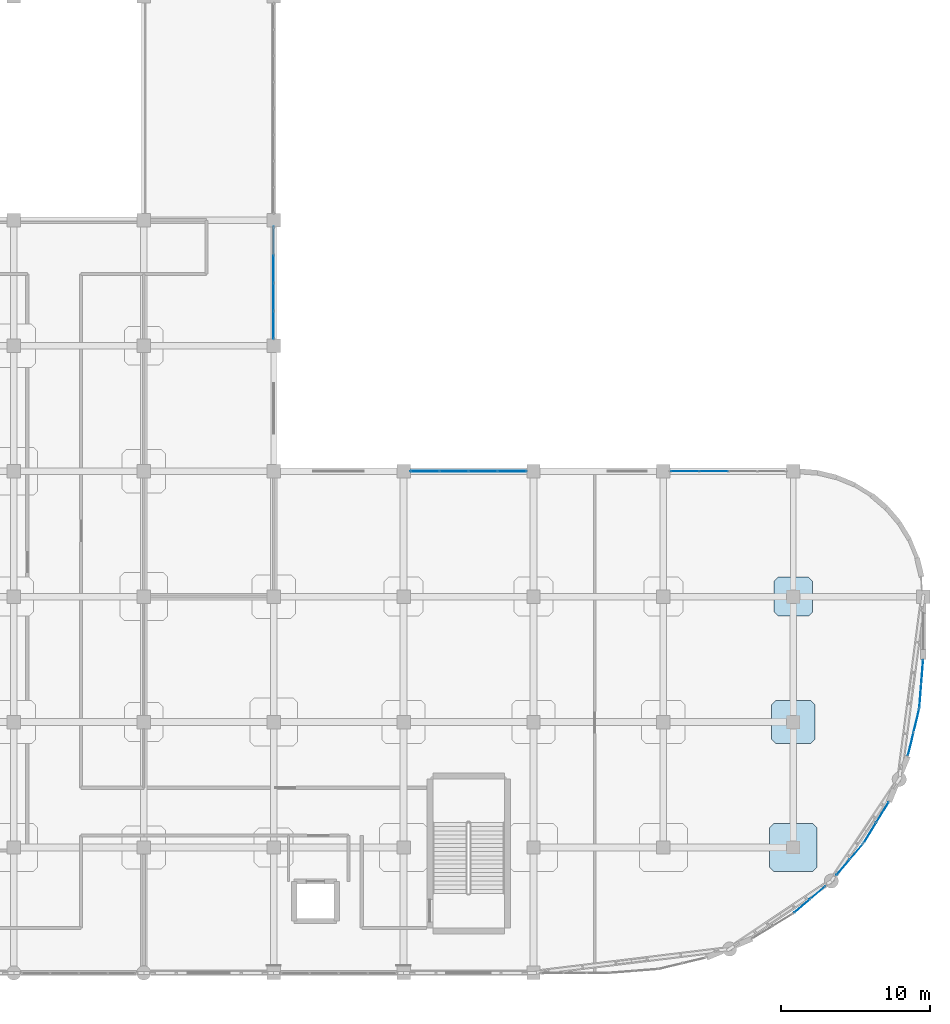
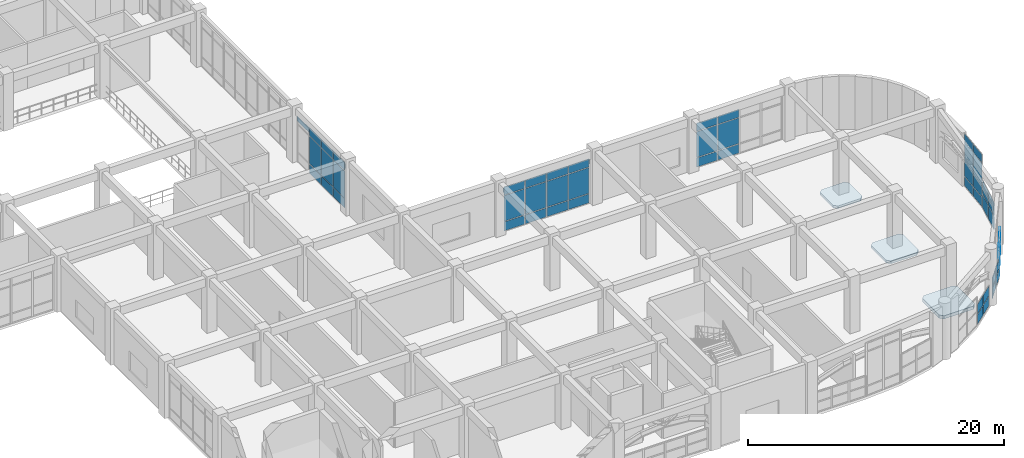
# One storey, part 88 of 114: 51 plates, 3 slabs, 8 elements without a shape of their own.
"""IFC4 building model written with IfcOpenShell, lengths in metres."""

from ifc_helpers import new_model, si_unit, derived_unit, direction, frame, origin, origin_2d, place, context, subcontext, project, spatial, polyline, rectangle, outline, extrude, material, layer, layer_set, type_object, element, aggregate, save


model = new_model("IFC4")

# Units and contexts
model_context = context("Model", 3, precision=1e-05, world=origin(), true_north=direction((0.0, 1.0)))
body_context = subcontext(model_context, "Body", "Model", "MODEL_VIEW")
ifc_project = project(units=[si_unit("LENGTHUNIT", "METRE"), si_unit("AREAUNIT", "SQUARE_METRE"), si_unit("VOLUMEUNIT", "CUBIC_METRE"), si_unit("PLANEANGLEUNIT", "RADIAN"), si_unit("MASSUNIT", "GRAM", prefix="KILO"), derived_unit("THERMALTRANSMITTANCEUNIT", [(si_unit("MASSUNIT", "GRAM", prefix="KILO"), 1), (si_unit("TIMEUNIT", "SECOND"), -3), (si_unit("THERMODYNAMICTEMPERATUREUNIT", "KELVIN"), -1)])], contexts=[model_context])

# Site, building, storey
site_placement = place(None, origin())
site = spatial("IfcSite", under=ifc_project, at=site_placement, CompositionType="ELEMENT")
building_placement = place(site_placement, origin())
building = spatial("IfcBuilding", under=site, at=building_placement, Name="Qinzheling Arcade Emporium", CompositionType="ELEMENT")
storey_placement = place(building_placement, frame((0.0, 0.0, 6.0)))
storey = spatial("IfcBuildingStorey", under=building, at=storey_placement, Name="L02", CompositionType="ELEMENT", Elevation=6.0)

# Slabs
ifc_material_1 = material(Name="Concrete C40", Category="concrete")
ifc_layer_1 = layer(ifc_material_1, 0.235107421875, Name="Concrete C40", Category="concrete")
ifc_layer_set_1 = layer_set([ifc_layer_1], Name="Concrete C40")
slab_type_1 = type_object("IfcSlabType", Name="Column Head Drop Panel 2600x2600x235 C40", PredefinedType="USERDEFINED", material=ifc_layer_set_1)
slab_1_placement = place(storey_placement, frame((0.0, 0.0, -0.530029296875)))
element("IfcSlab", 1, at=slab_1_placement, inside=storey, type_object=slab_type_1, Name="Column Drop Panel DP-L02-20-D", ObjectType="DROP_PANEL", PredefinedType="USERDEFINED", context=body_context, shape_type="SweptSolid", body=[
    extrude(outline(polyline([(164.280029296875, 23.89990234375), (166.320068359375, 23.89990234375), (166.60009765625, 24.179931640625), (166.60009765625, 26.219970703125), (166.320068359375, 26.5), (164.280029296875, 26.5), (164.0, 26.219970703125), (164.0, 24.179931640625), (164.280029296875, 23.89990234375)])), origin(), (0.0, 0.0, 1.0), 0.235107421875),
])
ifc_layer_2 = layer(ifc_material_1, 0.27001953125, Name="Concrete C40", Category="concrete")
ifc_layer_set_2 = layer_set([ifc_layer_2], Name="Concrete C40")
slab_type_2 = type_object("IfcSlabType", Name="Column Head Drop Panel 2900x2900x270 C40", PredefinedType="USERDEFINED", material=ifc_layer_set_2)
slab_2_placement = place(storey_placement, frame((0.0, 0.0, -0.56494140625)))
element("IfcSlab", 2, at=slab_2_placement, inside=storey, type_object=slab_type_2, Name="Column Drop Panel DP-L02-20-C", ObjectType="DROP_PANEL", PredefinedType="USERDEFINED", context=body_context, shape_type="SweptSolid", body=[
    extrude(outline(polyline([(164.1298828125, 15.35009765625), (166.469970703125, 15.35009765625), (166.75, 15.6298828125), (166.75, 17.969970703125), (166.469970703125, 18.25), (164.1298828125, 18.25), (163.85009765625, 17.969970703125), (163.85009765625, 15.6298828125), (164.1298828125, 15.35009765625)])), origin(), (0.0, 0.0, 1.0), 0.27001953125),
])
ifc_layer_3 = layer(ifc_material_1, 0.300048828125, Name="Concrete C40", Category="concrete")
ifc_layer_set_3 = layer_set([ifc_layer_3], Name="Concrete C40")
slab_type_3 = type_object("IfcSlabType", Name="Column Head Drop Panel 3200x3200x300 C40", PredefinedType="USERDEFINED", material=ifc_layer_set_3)
slab_3_placement = place(storey_placement, frame((0.0, 0.0, -0.594970703125)))
element("IfcSlab", 3, at=slab_3_placement, inside=storey, type_object=slab_type_3, Name="Column Drop Panel DP-L02-20-B", ObjectType="DROP_PANEL", PredefinedType="USERDEFINED", context=body_context, shape_type="SweptSolid", body=[
    extrude(outline(polyline([(163.97998046875, 6.800048828125), (166.6201171875, 6.800048828125), (166.89990234375, 7.080078125), (166.89990234375, 9.719970703125), (166.6201171875, 10.0), (163.97998046875, 10.0), (163.699951171875, 9.719970703125), (163.699951171875, 7.080078125), (163.97998046875, 6.800048828125)])), origin(), (0.0, 0.0, 1.0), 0.300048828125),
])

# Curtain wall, plates
ifc_material_2 = material(Name="Anodised aluminium and solar-control double glazing", Category="aluminium")
ifc_layer_4 = layer(ifc_material_2, 0.159912109375, Name="Anodised aluminium and solar-control double glazing", Category="aluminium")
ifc_layer_set_4 = layer_set([ifc_layer_4], Name="Anodised aluminium and solar-control double glazing")
curtain_wall_type_1 = type_object("IfcCurtainWallType", Name="Food Hall Loggia Curtain Wall", PredefinedType="NOTDEFINED", material=ifc_layer_set_4)
curtain_wall_1_placement = place(storey_placement, origin())
curtain_wall_1 = element("IfcCurtainWall", 4, at=curtain_wall_1_placement, inside=storey, type_object=curtain_wall_type_1, Name="Curtain Wall CW-L02-127", PredefinedType="NOTDEFINED")
ifc_material_3 = material(Name="Laminated solar-control double glazing", Category="glass")
ifc_layer_5 = layer(ifc_material_3, 0.02099609375, Name="Laminated solar-control double glazing", Category="glass")
ifc_layer_set_5 = layer_set([ifc_layer_5], Name="Laminated solar-control double glazing")
plate_type_1 = type_object("IfcPlateType", Name="Low-E Double Glazed Curtain Panel 21mm", PredefinedType="CURTAIN_PANEL", material=ifc_layer_set_5)
plate_1_placement = place(storey_placement, frame((158.04150390625, 33.60009765625, 0.06005859375), z_axis=(0.0, 0.0, 1.0), x_axis=(1.0, 0.0, 0.0)))
plate_1 = element("IfcPlate", 5, at=plate_1_placement, type_object=plate_type_1, Name="CW04 panel 1.1", PredefinedType="CURTAIN_PANEL", context=body_context, shape_type="SweptSolid", body=[
    extrude(rectangle(XDim=1.85888671875, YDim=0.02099609375, at=origin_2d()), origin(), (0.0, 0.0, 1.0), 0.860107421875),
])
plate_2_placement = place(storey_placement, frame((158.04150390625, 33.60009765625, 0.97998046875), z_axis=(0.0, 0.0, 1.0), x_axis=(1.0, 0.0, 0.0)))
plate_2 = element("IfcPlate", 6, at=plate_2_placement, type_object=plate_type_1, Name="CW04 panel 1.2", PredefinedType="CURTAIN_PANEL", context=body_context, shape_type="SweptSolid", body=[
    extrude(rectangle(XDim=1.85888671875, YDim=0.02099609375, at=origin_2d()), origin(), (0.0, 0.0, 1.0), 2.445068359375),
])
plate_3_placement = place(storey_placement, frame((158.04150390625, 33.60009765625, 3.48486328125), z_axis=(0.0, 0.0, 1.0), x_axis=(1.0, 0.0, 0.0)))
plate_3 = element("IfcPlate", 7, at=plate_3_placement, type_object=plate_type_1, Name="CW04 panel 1.3", PredefinedType="CURTAIN_PANEL", context=body_context, shape_type="SweptSolid", body=[
    extrude(rectangle(XDim=1.85888671875, YDim=0.02099609375, at=origin_2d()), origin(), (0.0, 0.0, 1.0), 0.760009765625),
])
plate_4_placement = place(storey_placement, frame((159.9755859375, 33.60009765625, 0.06005859375), z_axis=(0.0, 0.0, 1.0), x_axis=(1.0, 0.0, 0.0)))
plate_4 = element("IfcPlate", 8, at=plate_4_placement, type_object=plate_type_1, Name="CW04 panel 2.1", PredefinedType="CURTAIN_PANEL", context=body_context, shape_type="SweptSolid", body=[
    extrude(rectangle(XDim=1.888916015625, YDim=0.02099609375, at=origin_2d()), origin(), (0.0, 0.0, 1.0), 0.860107421875),
])
plate_5_placement = place(storey_placement, frame((159.9755859375, 33.60009765625, 0.97998046875), z_axis=(0.0, 0.0, 1.0), x_axis=(1.0, 0.0, 0.0)))
plate_5 = element("IfcPlate", 9, at=plate_5_placement, type_object=plate_type_1, Name="CW04 panel 2.2", PredefinedType="CURTAIN_PANEL", context=body_context, shape_type="SweptSolid", body=[
    extrude(rectangle(XDim=1.888916015625, YDim=0.02099609375, at=origin_2d()), origin(), (0.0, 0.0, 1.0), 2.445068359375),
])
plate_6_placement = place(storey_placement, frame((159.9755859375, 33.60009765625, 3.48486328125), z_axis=(0.0, 0.0, 1.0), x_axis=(1.0, 0.0, 0.0)))
plate_6 = element("IfcPlate", 10, at=plate_6_placement, type_object=plate_type_1, Name="CW04 panel 2.3", PredefinedType="CURTAIN_PANEL", context=body_context, shape_type="SweptSolid", body=[
    extrude(rectangle(XDim=1.888916015625, YDim=0.02099609375, at=origin_2d()), origin(), (0.0, 0.0, 1.0), 0.760009765625),
])
aggregate(curtain_wall_1, [plate_1, plate_2, plate_3, plate_4, plate_5, plate_6])

ifc_layer_6 = layer(ifc_material_2, 0.159912109375, Name="Anodised aluminium and solar-control double glazing", Category="aluminium")
ifc_layer_set_6 = layer_set([ifc_layer_6], Name="Anodised aluminium and solar-control double glazing")
curtain_wall_type_2 = type_object("IfcCurtainWallType", Name="Curved Ribbon Sales Curtain Wall", PredefinedType="NOTDEFINED", material=ifc_layer_set_6)
curtain_wall_2_placement = place(storey_placement, origin())
curtain_wall_2 = element("IfcCurtainWall", 11, at=curtain_wall_2_placement, inside=storey, type_object=curtain_wall_type_2, Name="Curtain Wall CW-L02-049", PredefinedType="NOTDEFINED")
ifc_layer_7 = layer(ifc_material_3, 0.02392578125, Name="Laminated solar-control double glazing", Category="glass")
ifc_layer_set_7 = layer_set([ifc_layer_7], Name="Laminated solar-control double glazing")
plate_type_2 = type_object("IfcPlateType", Name="Low-E Double Glazed Curtain Panel 24mm", PredefinedType="CURTAIN_PANEL", material=ifc_layer_set_7)
plate_7_placement = place(storey_placement, frame((173.93408203125, 20.163818359375, 0.06005859375), z_axis=(0.0, 0.0, 1.0), x_axis=(-0.078599308618, -0.996906288818, 0.0)))
plate_7 = element("IfcPlate", 12, at=plate_7_placement, type_object=plate_type_2, Name="CW02 panel 1.1", PredefinedType="CURTAIN_PANEL", context=body_context, shape_type="SweptSolid", body=[
    extrude(rectangle(XDim=1.5576171875, YDim=0.02392578125, at=origin_2d()), origin(), (0.0, 0.0, 1.0), 0.860107421875),
])
plate_8_placement = place(storey_placement, frame((173.93408203125, 20.163818359375, 0.97998046875), z_axis=(0.0, 0.0, 1.0), x_axis=(-0.078599308618, -0.996906288818, 0.0)))
plate_8 = element("IfcPlate", 13, at=plate_8_placement, type_object=plate_type_2, Name="CW02 panel 1.2", PredefinedType="CURTAIN_PANEL", context=body_context, shape_type="SweptSolid", body=[
    extrude(rectangle(XDim=1.5576171875, YDim=0.02392578125, at=origin_2d()), origin(), (0.0, 0.0, 1.0), 3.22998046875),
])
plate_9_placement = place(storey_placement, frame((173.93408203125, 20.163818359375, 4.27001953125), z_axis=(0.0, 0.0, 1.0), x_axis=(-0.078599308618, -0.996906288818, 0.0)))
plate_9 = element("IfcPlate", 14, at=plate_9_placement, type_object=plate_type_2, Name="CW02 panel 1.3", PredefinedType="CURTAIN_PANEL", context=body_context, shape_type="SweptSolid", body=[
    extrude(rectangle(XDim=1.5576171875, YDim=0.02392578125, at=origin_2d()), origin(), (0.0, 0.0, 1.0), 0.760009765625),
])
plate_10_placement = place(storey_placement, frame((173.806884765625, 18.55126953125, 0.06005859375), z_axis=(0.0, 0.0, 1.0), x_axis=(-0.078599308618, -0.996906288818, 0.0)))
plate_10 = element("IfcPlate", 15, at=plate_10_placement, type_object=plate_type_2, Name="CW02 panel 2.1", PredefinedType="CURTAIN_PANEL", context=body_context, shape_type="SweptSolid", body=[
    extrude(rectangle(XDim=1.5576171875, YDim=0.02392578125, at=origin_2d()), origin(), (0.0, 0.0, 1.0), 0.860107421875),
])
plate_11_placement = place(storey_placement, frame((173.806884765625, 18.55126953125, 0.97998046875), z_axis=(0.0, 0.0, 1.0), x_axis=(-0.078599308618, -0.996906288818, 0.0)))
plate_11 = element("IfcPlate", 16, at=plate_11_placement, type_object=plate_type_2, Name="CW02 panel 2.2", PredefinedType="CURTAIN_PANEL", context=body_context, shape_type="SweptSolid", body=[
    extrude(rectangle(XDim=1.5576171875, YDim=0.02392578125, at=origin_2d()), origin(), (0.0, 0.0, 1.0), 3.22998046875),
])
plate_12_placement = place(storey_placement, frame((173.806884765625, 18.55126953125, 4.27001953125), z_axis=(0.0, 0.0, 1.0), x_axis=(-0.078599308618, -0.996906288818, 0.0)))
plate_12 = element("IfcPlate", 17, at=plate_12_placement, type_object=plate_type_2, Name="CW02 panel 2.3", PredefinedType="CURTAIN_PANEL", context=body_context, shape_type="SweptSolid", body=[
    extrude(rectangle(XDim=1.5576171875, YDim=0.02392578125, at=origin_2d()), origin(), (0.0, 0.0, 1.0), 0.760009765625),
])
aggregate(curtain_wall_2, [plate_7, plate_8, plate_9, plate_10, plate_11, plate_12])

curtain_wall_3_placement = place(storey_placement, origin())
curtain_wall_3 = element("IfcCurtainWall", 18, at=curtain_wall_3_placement, inside=storey, type_object=curtain_wall_type_2, Name="Curtain Wall CW-L02-050", PredefinedType="NOTDEFINED")
ifc_layer_8 = layer(ifc_material_3, 0.02490234375, Name="Laminated solar-control double glazing", Category="glass")
ifc_layer_set_8 = layer_set([ifc_layer_8], Name="Laminated solar-control double glazing")
plate_type_3 = type_object("IfcPlateType", Name="Low-E Double Glazed Curtain Panel 25mm", PredefinedType="CURTAIN_PANEL", material=ifc_layer_set_8)
plate_13_placement = place(storey_placement, frame((173.545166015625, 16.8994140625, 0.06005859375), z_axis=(0.0, 0.0, 1.0), x_axis=(-0.233384430923, -0.972384547081, 0.0)))
plate_13 = element("IfcPlate", 19, at=plate_13_placement, type_object=plate_type_3, Name="CW02 panel 1.1", PredefinedType="CURTAIN_PANEL", context=body_context, shape_type="SweptSolid", body=[
    extrude(rectangle(XDim=1.5576171875, YDim=0.02490234375, at=origin_2d()), origin(), (0.0, 0.0, 1.0), 1.27197265625),
])
plate_14_placement = place(storey_placement, frame((173.545166015625, 16.8994140625, 1.39208984375), z_axis=(0.0, 0.0, 1.0), x_axis=(-0.233384430923, -0.972384547081, 0.0)))
plate_14 = element("IfcPlate", 20, at=plate_14_placement, type_object=plate_type_3, Name="CW02 panel 1.2", PredefinedType="CURTAIN_PANEL", context=body_context, shape_type="SweptSolid", body=[
    extrude(rectangle(XDim=1.5576171875, YDim=0.02490234375, at=origin_2d()), origin(), (0.0, 0.0, 1.0), 1.27099609375),
])
plate_15_placement = place(storey_placement, frame((173.167724609375, 15.32666015625, 0.06005859375), z_axis=(0.0, 0.0, 1.0), x_axis=(-0.233384430923, -0.972384547081, 0.0)))
plate_15 = element("IfcPlate", 21, at=plate_15_placement, type_object=plate_type_3, Name="CW02 panel 2.1", PredefinedType="CURTAIN_PANEL", context=body_context, shape_type="SweptSolid", body=[
    extrude(rectangle(XDim=1.5576171875, YDim=0.02490234375, at=origin_2d()), origin(), (0.0, 0.0, 1.0), 1.27197265625),
])
plate_16_placement = place(storey_placement, frame((173.167724609375, 15.32666015625, 1.39208984375), z_axis=(0.0, 0.0, 1.0), x_axis=(-0.233384430923, -0.972384547081, 0.0)))
plate_16 = element("IfcPlate", 22, at=plate_16_placement, type_object=plate_type_3, Name="CW02 panel 2.2", PredefinedType="CURTAIN_PANEL", context=body_context, shape_type="SweptSolid", body=[
    extrude(rectangle(XDim=1.5576171875, YDim=0.02490234375, at=origin_2d()), origin(), (0.0, 0.0, 1.0), 1.27099609375),
])
aggregate(curtain_wall_3, [plate_13, plate_14, plate_15, plate_16])

curtain_wall_4_placement = place(storey_placement, origin())
curtain_wall_4 = element("IfcCurtainWall", 23, at=curtain_wall_4_placement, inside=storey, type_object=curtain_wall_type_2, Name="Curtain Wall CW-L02-051", PredefinedType="NOTDEFINED")
ifc_layer_9 = layer(ifc_material_3, 0.02587890625, Name="Laminated solar-control double glazing", Category="glass")
ifc_layer_set_9 = layer_set([ifc_layer_9], Name="Laminated solar-control double glazing")
plate_type_4 = type_object("IfcPlateType", Name="Low-E Double Glazed Curtain Panel 26mm", PredefinedType="CURTAIN_PANEL", material=ifc_layer_set_9)
plate_17_placement = place(storey_placement, frame((171.272705078125, 10.7509765625, 0.06005859375), z_axis=(0.0, 0.0, 1.0), x_axis=(-0.522640343274, -0.852553266126, 0.0)))
plate_17 = element("IfcPlate", 24, at=plate_17_placement, type_object=plate_type_4, Name="CW02 panel 1.1", PredefinedType="CURTAIN_PANEL", context=body_context, shape_type="SweptSolid", body=[
    extrude(rectangle(XDim=1.557373046875, YDim=0.02587890625, at=origin_2d()), origin(), (0.0, 0.0, 1.0), 1.27197265625),
])
plate_18_placement = place(storey_placement, frame((171.272705078125, 10.7509765625, 1.39208984375), z_axis=(0.0, 0.0, 1.0), x_axis=(-0.522640343274, -0.852553266126, 0.0)))
plate_18 = element("IfcPlate", 25, at=plate_18_placement, type_object=plate_type_4, Name="CW02 panel 1.2", PredefinedType="CURTAIN_PANEL", context=body_context, shape_type="SweptSolid", body=[
    extrude(rectangle(XDim=1.557373046875, YDim=0.02587890625, at=origin_2d()), origin(), (0.0, 0.0, 1.0), 1.27099609375),
])
plate_19_placement = place(storey_placement, frame((170.42724609375, 9.3720703125, 0.06005859375), z_axis=(0.0, 0.0, 1.0), x_axis=(-0.522640343274, -0.852553266126, 0.0)))
plate_19 = element("IfcPlate", 26, at=plate_19_placement, type_object=plate_type_4, Name="CW02 panel 2.1", PredefinedType="CURTAIN_PANEL", context=body_context, shape_type="SweptSolid", body=[
    extrude(rectangle(XDim=1.557373046875, YDim=0.02587890625, at=origin_2d()), origin(), (0.0, 0.0, 1.0), 1.27197265625),
])
plate_20_placement = place(storey_placement, frame((170.42724609375, 9.3720703125, 1.39208984375), z_axis=(0.0, 0.0, 1.0), x_axis=(-0.522640343274, -0.852553266126, 0.0)))
plate_20 = element("IfcPlate", 27, at=plate_20_placement, type_object=plate_type_4, Name="CW02 panel 2.2", PredefinedType="CURTAIN_PANEL", context=body_context, shape_type="SweptSolid", body=[
    extrude(rectangle(XDim=1.557373046875, YDim=0.02587890625, at=origin_2d()), origin(), (0.0, 0.0, 1.0), 1.27099609375),
])
aggregate(curtain_wall_4, [plate_17, plate_18, plate_19, plate_20])

curtain_wall_5_placement = place(storey_placement, origin())
curtain_wall_5 = element("IfcCurtainWall", 28, at=curtain_wall_5_placement, inside=storey, type_object=curtain_wall_type_2, Name="Curtain Wall CW-L02-052", PredefinedType="NOTDEFINED")
ifc_layer_10 = layer(ifc_material_3, 0.027099609375, Name="Laminated solar-control double glazing", Category="glass")
ifc_layer_set_10 = layer_set([ifc_layer_10], Name="Laminated solar-control double glazing")
plate_type_5 = type_object("IfcPlateType", Name="Low-E Double Glazed Curtain Panel 27mm", PredefinedType="CURTAIN_PANEL", material=ifc_layer_set_10)
plate_21_placement = place(storey_placement, frame((169.521728515625, 8.10986328125, 0.06005859375), z_axis=(0.0, 0.0, 1.0), x_axis=(-0.649387535624, -0.76045764417, 0.0)))
plate_21 = element("IfcPlate", 29, at=plate_21_placement, type_object=plate_type_5, Name="CW02 panel 1.1", PredefinedType="CURTAIN_PANEL", context=body_context, shape_type="SweptSolid", body=[
    extrude(rectangle(XDim=1.319091796875, YDim=0.027099609375, at=origin_2d()), origin(), (0.0, 0.0, 1.0), 0.9150390625),
])
plate_22_placement = place(storey_placement, frame((169.521728515625, 8.10986328125, 1.034912109375), z_axis=(0.0, 0.0, 1.0), x_axis=(-0.649387535624, -0.76045764417, 0.0)))
plate_22 = element("IfcPlate", 30, at=plate_22_placement, type_object=plate_type_5, Name="CW02 panel 1.2", PredefinedType="CURTAIN_PANEL", context=body_context, shape_type="SweptSolid", body=[
    extrude(rectangle(XDim=1.319091796875, YDim=0.027099609375, at=origin_2d()), origin(), (0.0, 0.0, 1.0), 0.9150390625),
])
plate_23_placement = place(storey_placement, frame((168.626220703125, 7.06103515625, 0.06005859375), z_axis=(0.0, 0.0, 1.0), x_axis=(-0.649387535624, -0.76045764417, 0.0)))
plate_23 = element("IfcPlate", 31, at=plate_23_placement, type_object=plate_type_5, Name="CW02 panel 2.1", PredefinedType="CURTAIN_PANEL", context=body_context, shape_type="SweptSolid", body=[
    extrude(rectangle(XDim=1.319091796875, YDim=0.027099609375, at=origin_2d()), origin(), (0.0, 0.0, 1.0), 0.9150390625),
])
plate_24_placement = place(storey_placement, frame((168.626220703125, 7.06103515625, 1.034912109375), z_axis=(0.0, 0.0, 1.0), x_axis=(-0.649387535624, -0.76045764417, 0.0)))
plate_24 = element("IfcPlate", 32, at=plate_24_placement, type_object=plate_type_5, Name="CW02 panel 2.2", PredefinedType="CURTAIN_PANEL", context=body_context, shape_type="SweptSolid", body=[
    extrude(rectangle(XDim=1.319091796875, YDim=0.027099609375, at=origin_2d()), origin(), (0.0, 0.0, 1.0), 0.9150390625),
])
aggregate(curtain_wall_5, [plate_21, plate_22, plate_23, plate_24])

curtain_wall_6_placement = place(storey_placement, origin())
curtain_wall_6 = element("IfcCurtainWall", 33, at=curtain_wall_6_placement, inside=storey, type_object=curtain_wall_type_2, Name="Curtain Wall CW-L02-053", PredefinedType="NOTDEFINED")
ifc_layer_11 = layer(ifc_material_3, 0.028076171875, Name="Laminated solar-control double glazing", Category="glass")
ifc_layer_set_11 = layer_set([ifc_layer_11], Name="Laminated solar-control double glazing")
plate_type_6 = type_object("IfcPlateType", Name="Low-E Double Glazed Curtain Panel 28mm", PredefinedType="CURTAIN_PANEL", material=ifc_layer_set_11)
plate_25_placement = place(storey_placement, frame((166.93896484375, 5.373779296875, 0.06005859375), z_axis=(0.0, 0.0, 1.0), x_axis=(-0.76045764417, -0.649387535624, 0.0)))
plate_25 = element("IfcPlate", 34, at=plate_25_placement, type_object=plate_type_6, Name="CW02 panel 1.1", PredefinedType="CURTAIN_PANEL", context=body_context, shape_type="SweptSolid", body=[
    extrude(rectangle(XDim=1.319091796875, YDim=0.028076171875, at=origin_2d()), origin(), (0.0, 0.0, 1.0), 0.9150390625),
])
plate_26_placement = place(storey_placement, frame((166.93896484375, 5.373779296875, 1.034912109375), z_axis=(0.0, 0.0, 1.0), x_axis=(-0.76045764417, -0.649387535624, 0.0)))
plate_26 = element("IfcPlate", 35, at=plate_26_placement, type_object=plate_type_6, Name="CW02 panel 1.2", PredefinedType="CURTAIN_PANEL", context=body_context, shape_type="SweptSolid", body=[
    extrude(rectangle(XDim=1.319091796875, YDim=0.028076171875, at=origin_2d()), origin(), (0.0, 0.0, 1.0), 0.9150390625),
])
plate_27_placement = place(storey_placement, frame((165.89013671875, 4.478271484375, 0.06005859375), z_axis=(0.0, 0.0, 1.0), x_axis=(-0.76045764417, -0.649387535624, 0.0)))
plate_27 = element("IfcPlate", 36, at=plate_27_placement, type_object=plate_type_6, Name="CW02 panel 2.1", PredefinedType="CURTAIN_PANEL", context=body_context, shape_type="SweptSolid", body=[
    extrude(rectangle(XDim=1.319091796875, YDim=0.028076171875, at=origin_2d()), origin(), (0.0, 0.0, 1.0), 0.9150390625),
])
plate_28_placement = place(storey_placement, frame((165.89013671875, 4.478271484375, 1.034912109375), z_axis=(0.0, 0.0, 1.0), x_axis=(-0.76045764417, -0.649387535624, 0.0)))
plate_28 = element("IfcPlate", 37, at=plate_28_placement, type_object=plate_type_6, Name="CW02 panel 2.2", PredefinedType="CURTAIN_PANEL", context=body_context, shape_type="SweptSolid", body=[
    extrude(rectangle(XDim=1.319091796875, YDim=0.028076171875, at=origin_2d()), origin(), (0.0, 0.0, 1.0), 0.9150390625),
])
aggregate(curtain_wall_6, [plate_25, plate_26, plate_27, plate_28])

ifc_layer_12 = layer(ifc_material_2, 0.159912109375, Name="Anodised aluminium and solar-control double glazing", Category="aluminium")
ifc_layer_set_12 = layer_set([ifc_layer_12], Name="Anodised aluminium and solar-control double glazing")
curtain_wall_type_3 = type_object("IfcCurtainWallType", Name="Arcade Portal Glazed Curtain Wall", PredefinedType="NOTDEFINED", material=ifc_layer_set_12)
curtain_wall_7_placement = place(storey_placement, origin())
curtain_wall_7 = element("IfcCurtainWall", 38, at=curtain_wall_7_placement, inside=storey, type_object=curtain_wall_type_3, Name="Curtain Wall CW-L02-125", PredefinedType="NOTDEFINED")
ifc_layer_13 = layer(ifc_material_3, 0.0400390625, Name="Laminated solar-control double glazing", Category="glass")
ifc_layer_set_13 = layer_set([ifc_layer_13], Name="Laminated solar-control double glazing")
plate_type_7 = type_object("IfcPlateType", Name="Low-E Double Glazed Curtain Panel 40mm", PredefinedType="CURTAIN_PANEL", material=ifc_layer_set_13)
plate_29_placement = place(storey_placement, frame((130.5, 47.136962890625, 0.06005859375), z_axis=(0.0, 0.0, 1.0), x_axis=(0.0, -1.0, 0.0)))
plate_29 = element("IfcPlate", 39, at=plate_29_placement, type_object=plate_type_7, Name="CW05 panel 2.1", PredefinedType="CURTAIN_PANEL", context=body_context, shape_type="SweptSolid", body=[
    extrude(rectangle(XDim=1.81396484375, YDim=0.0400390625, at=origin_2d()), origin(), (0.0, 0.0, 1.0), 0.860107421875),
])
plate_30_placement = place(storey_placement, frame((130.5, 47.136962890625, 0.97998046875), z_axis=(0.0, 0.0, 1.0), x_axis=(0.0, -1.0, 0.0)))
plate_30 = element("IfcPlate", 40, at=plate_30_placement, type_object=plate_type_7, Name="CW05 panel 2.2", PredefinedType="CURTAIN_PANEL", context=body_context, shape_type="SweptSolid", body=[
    extrude(rectangle(XDim=1.81396484375, YDim=0.0400390625, at=origin_2d()), origin(), (0.0, 0.0, 1.0), 2.594970703125),
])
plate_31_placement = place(storey_placement, frame((130.5, 47.136962890625, 3.634765625), z_axis=(0.0, 0.0, 1.0), x_axis=(0.0, -1.0, 0.0)))
plate_31 = element("IfcPlate", 41, at=plate_31_placement, type_object=plate_type_7, Name="CW05 panel 2.3", PredefinedType="CURTAIN_PANEL", context=body_context, shape_type="SweptSolid", body=[
    extrude(rectangle(XDim=1.81396484375, YDim=0.0400390625, at=origin_2d()), origin(), (0.0, 0.0, 1.0), 0.760009765625),
])
plate_32_placement = place(storey_placement, frame((130.5, 45.262939453125, 0.06005859375), z_axis=(0.0, 0.0, 1.0), x_axis=(0.0, -1.0, 0.0)))
plate_32 = element("IfcPlate", 42, at=plate_32_placement, type_object=plate_type_7, Name="CW05 panel 3.1", PredefinedType="CURTAIN_PANEL", context=body_context, shape_type="SweptSolid", body=[
    extrude(rectangle(XDim=1.81396484375, YDim=0.0400390625, at=origin_2d()), origin(), (0.0, 0.0, 1.0), 0.860107421875),
])
plate_33_placement = place(storey_placement, frame((130.5, 45.262939453125, 0.97998046875), z_axis=(0.0, 0.0, 1.0), x_axis=(0.0, -1.0, 0.0)))
plate_33 = element("IfcPlate", 43, at=plate_33_placement, type_object=plate_type_7, Name="CW05 panel 3.2", PredefinedType="CURTAIN_PANEL", context=body_context, shape_type="SweptSolid", body=[
    extrude(rectangle(XDim=1.81396484375, YDim=0.0400390625, at=origin_2d()), origin(), (0.0, 0.0, 1.0), 2.594970703125),
])
plate_34_placement = place(storey_placement, frame((130.5, 45.262939453125, 3.634765625), z_axis=(0.0, 0.0, 1.0), x_axis=(0.0, -1.0, 0.0)))
plate_34 = element("IfcPlate", 44, at=plate_34_placement, type_object=plate_type_7, Name="CW05 panel 3.3", PredefinedType="CURTAIN_PANEL", context=body_context, shape_type="SweptSolid", body=[
    extrude(rectangle(XDim=1.81396484375, YDim=0.0400390625, at=origin_2d()), origin(), (0.0, 0.0, 1.0), 0.760009765625),
])
plate_35_placement = place(storey_placement, frame((130.5, 43.404052734375, 0.06005859375), z_axis=(0.0, 0.0, 1.0), x_axis=(0.0, -1.0, 0.0)))
plate_35 = element("IfcPlate", 45, at=plate_35_placement, type_object=plate_type_7, Name="CW05 panel 4.1", PredefinedType="CURTAIN_PANEL", context=body_context, shape_type="SweptSolid", body=[
    extrude(rectangle(XDim=1.783935546875, YDim=0.0400390625, at=origin_2d()), origin(), (0.0, 0.0, 1.0), 0.860107421875),
])
plate_36_placement = place(storey_placement, frame((130.5, 43.404052734375, 0.97998046875), z_axis=(0.0, 0.0, 1.0), x_axis=(0.0, -1.0, 0.0)))
plate_36 = element("IfcPlate", 46, at=plate_36_placement, type_object=plate_type_7, Name="CW05 panel 4.2", PredefinedType="CURTAIN_PANEL", context=body_context, shape_type="SweptSolid", body=[
    extrude(rectangle(XDim=1.783935546875, YDim=0.0400390625, at=origin_2d()), origin(), (0.0, 0.0, 1.0), 2.594970703125),
])
plate_37_placement = place(storey_placement, frame((130.5, 43.404052734375, 3.634765625), z_axis=(0.0, 0.0, 1.0), x_axis=(0.0, -1.0, 0.0)))
plate_37 = element("IfcPlate", 47, at=plate_37_placement, type_object=plate_type_7, Name="CW05 panel 4.3", PredefinedType="CURTAIN_PANEL", context=body_context, shape_type="SweptSolid", body=[
    extrude(rectangle(XDim=1.783935546875, YDim=0.0400390625, at=origin_2d()), origin(), (0.0, 0.0, 1.0), 0.760009765625),
])
aggregate(curtain_wall_7, [plate_29, plate_30, plate_31, plate_32, plate_33, plate_34, plate_35, plate_36, plate_37])

curtain_wall_8_placement = place(storey_placement, origin())
curtain_wall_8 = element("IfcCurtainWall", 48, at=curtain_wall_8_placement, inside=storey, type_object=curtain_wall_type_1, Name="Curtain Wall CW-L02-126", PredefinedType="NOTDEFINED")
ifc_layer_14 = layer(ifc_material_3, 0.0419921875, Name="Laminated solar-control double glazing", Category="glass")
ifc_layer_set_14 = layer_set([ifc_layer_14], Name="Laminated solar-control double glazing")
plate_type_8 = type_object("IfcPlateType", Name="Low-E Double Glazed Curtain Panel 42mm", PredefinedType="CURTAIN_PANEL", material=ifc_layer_set_14)
plate_38_placement = place(storey_placement, frame((140.6416015625, 33.60009765625, 0.06005859375), z_axis=(0.0, 0.0, 1.0), x_axis=(1.0, 0.0, 0.0)))
plate_38 = element("IfcPlate", 49, at=plate_38_placement, type_object=plate_type_8, Name="CW04 panel 1.1", PredefinedType="CURTAIN_PANEL", context=body_context, shape_type="SweptSolid", body=[
    extrude(rectangle(XDim=1.85888671875, YDim=0.0419921875, at=origin_2d()), origin(), (0.0, 0.0, 1.0), 0.860107421875),
])
plate_39_placement = place(storey_placement, frame((140.6416015625, 33.60009765625, 0.97998046875), z_axis=(0.0, 0.0, 1.0), x_axis=(1.0, 0.0, 0.0)))
plate_39 = element("IfcPlate", 50, at=plate_39_placement, type_object=plate_type_8, Name="CW04 panel 1.2", PredefinedType="CURTAIN_PANEL", context=body_context, shape_type="SweptSolid", body=[
    extrude(rectangle(XDim=1.85888671875, YDim=0.0419921875, at=origin_2d()), origin(), (0.0, 0.0, 1.0), 2.445068359375),
])
plate_40_placement = place(storey_placement, frame((140.6416015625, 33.60009765625, 3.48486328125), z_axis=(0.0, 0.0, 1.0), x_axis=(1.0, 0.0, 0.0)))
plate_40 = element("IfcPlate", 51, at=plate_40_placement, type_object=plate_type_8, Name="CW04 panel 1.3", PredefinedType="CURTAIN_PANEL", context=body_context, shape_type="SweptSolid", body=[
    extrude(rectangle(XDim=1.85888671875, YDim=0.0419921875, at=origin_2d()), origin(), (0.0, 0.0, 1.0), 0.760009765625),
])
plate_41_placement = place(storey_placement, frame((142.575439453125, 33.60009765625, 0.06005859375), z_axis=(0.0, 0.0, 1.0), x_axis=(1.0, 0.0, 0.0)))
plate_41 = element("IfcPlate", 52, at=plate_41_placement, type_object=plate_type_8, Name="CW04 panel 2.1", PredefinedType="CURTAIN_PANEL", context=body_context, shape_type="SweptSolid", body=[
    extrude(rectangle(XDim=1.888916015625, YDim=0.0419921875, at=origin_2d()), origin(), (0.0, 0.0, 1.0), 0.860107421875),
])
plate_42_placement = place(storey_placement, frame((142.575439453125, 33.60009765625, 0.97998046875), z_axis=(0.0, 0.0, 1.0), x_axis=(1.0, 0.0, 0.0)))
plate_42 = element("IfcPlate", 53, at=plate_42_placement, type_object=plate_type_8, Name="CW04 panel 2.2", PredefinedType="CURTAIN_PANEL", context=body_context, shape_type="SweptSolid", body=[
    extrude(rectangle(XDim=1.888916015625, YDim=0.0419921875, at=origin_2d()), origin(), (0.0, 0.0, 1.0), 2.445068359375),
])
plate_43_placement = place(storey_placement, frame((142.575439453125, 33.60009765625, 3.48486328125), z_axis=(0.0, 0.0, 1.0), x_axis=(1.0, 0.0, 0.0)))
plate_43 = element("IfcPlate", 54, at=plate_43_placement, type_object=plate_type_8, Name="CW04 panel 2.3", PredefinedType="CURTAIN_PANEL", context=body_context, shape_type="SweptSolid", body=[
    extrude(rectangle(XDim=1.888916015625, YDim=0.0419921875, at=origin_2d()), origin(), (0.0, 0.0, 1.0), 0.760009765625),
])
plate_44_placement = place(storey_placement, frame((144.5244140625, 33.60009765625, 0.06005859375), z_axis=(0.0, 0.0, 1.0), x_axis=(1.0, 0.0, 0.0)))
plate_44 = element("IfcPlate", 55, at=plate_44_placement, type_object=plate_type_8, Name="CW04 panel 3.1", PredefinedType="CURTAIN_PANEL", context=body_context, shape_type="SweptSolid", body=[
    extrude(rectangle(XDim=1.888916015625, YDim=0.0419921875, at=origin_2d()), origin(), (0.0, 0.0, 1.0), 0.860107421875),
])
plate_45_placement = place(storey_placement, frame((144.5244140625, 33.60009765625, 0.97998046875), z_axis=(0.0, 0.0, 1.0), x_axis=(1.0, 0.0, 0.0)))
plate_45 = element("IfcPlate", 56, at=plate_45_placement, type_object=plate_type_8, Name="CW04 panel 3.2", PredefinedType="CURTAIN_PANEL", context=body_context, shape_type="SweptSolid", body=[
    extrude(rectangle(XDim=1.888916015625, YDim=0.0419921875, at=origin_2d()), origin(), (0.0, 0.0, 1.0), 2.445068359375),
])
plate_46_placement = place(storey_placement, frame((144.5244140625, 33.60009765625, 3.48486328125), z_axis=(0.0, 0.0, 1.0), x_axis=(1.0, 0.0, 0.0)))
plate_46 = element("IfcPlate", 57, at=plate_46_placement, type_object=plate_type_8, Name="CW04 panel 3.3", PredefinedType="CURTAIN_PANEL", context=body_context, shape_type="SweptSolid", body=[
    extrude(rectangle(XDim=1.888916015625, YDim=0.0419921875, at=origin_2d()), origin(), (0.0, 0.0, 1.0), 0.760009765625),
])
plate_47_placement = place(storey_placement, frame((146.45849609375, 33.60009765625, 0.06005859375), z_axis=(0.0, 0.0, 1.0), x_axis=(1.0, 0.0, 0.0)))
plate_47 = element("IfcPlate", 58, at=plate_47_placement, type_object=plate_type_8, Name="CW04 panel 4.1", PredefinedType="CURTAIN_PANEL", context=body_context, shape_type="SweptSolid", body=[
    extrude(rectangle(XDim=1.85888671875, YDim=0.0419921875, at=origin_2d()), origin(), (0.0, 0.0, 1.0), 0.860107421875),
])
plate_48_placement = place(storey_placement, frame((146.45849609375, 33.60009765625, 0.97998046875), z_axis=(0.0, 0.0, 1.0), x_axis=(1.0, 0.0, 0.0)))
plate_48 = element("IfcPlate", 59, at=plate_48_placement, type_object=plate_type_8, Name="CW04 panel 4.2", PredefinedType="CURTAIN_PANEL", context=body_context, shape_type="SweptSolid", body=[
    extrude(rectangle(XDim=1.85888671875, YDim=0.0419921875, at=origin_2d()), origin(), (0.0, 0.0, 1.0), 2.445068359375),
])
plate_49_placement = place(storey_placement, frame((146.45849609375, 33.60009765625, 3.48486328125), z_axis=(0.0, 0.0, 1.0), x_axis=(1.0, 0.0, 0.0)))
plate_49 = element("IfcPlate", 60, at=plate_49_placement, type_object=plate_type_8, Name="CW04 panel 4.3", PredefinedType="CURTAIN_PANEL", context=body_context, shape_type="SweptSolid", body=[
    extrude(rectangle(XDim=1.85888671875, YDim=0.0419921875, at=origin_2d()), origin(), (0.0, 0.0, 1.0), 0.760009765625),
])
aggregate(curtain_wall_8, [plate_38, plate_39, plate_40, plate_41, plate_42, plate_43, plate_44, plate_45, plate_46, plate_47, plate_48, plate_49])

# Plates
ifc_material_4 = material(Name="Perforated anodised aluminium sheet", Category="aluminium")
ifc_layer_15 = layer(ifc_material_4, 0.011962890625, Name="Perforated anodised aluminium sheet", Category="aluminium")
ifc_layer_set_15 = layer_set([ifc_layer_15], Name="Perforated anodised aluminium sheet")
plate_type_9 = type_object("IfcPlateType", Name="Typhoon Storm Louvre Blade 12mm", PredefinedType="SHEET", material=ifc_layer_set_15)
plate_50_placement = place(storey_placement, frame((143.550048828125, 33.60009765625, 3.72998046875), z_axis=(0.0, 0.0, 1.0), x_axis=(1.0, 0.0, 0.0)))
element("IfcPlate", 61, at=plate_50_placement, inside=storey, type_object=plate_type_9, Name="Storm Louvre PLT-SLV-L02-020", PredefinedType="SHEET", context=body_context, shape_type="SweptSolid", body=[
    extrude(rectangle(XDim=7.825927734375, YDim=0.011962890625, at=origin_2d()), origin(), (0.0, 0.0, 1.0), 0.449951171875),
])
ifc_layer_16 = layer(ifc_material_4, 0.02001953125, Name="Perforated anodised aluminium sheet", Category="aluminium")
ifc_layer_set_16 = layer_set([ifc_layer_16], Name="Perforated anodised aluminium sheet")
plate_type_10 = type_object("IfcPlateType", Name="Typhoon Storm Louvre Blade 20mm", PredefinedType="SHEET", material=ifc_layer_set_16)
plate_51_placement = place(storey_placement, frame((130.5, 46.199951171875, 3.8798828125), z_axis=(0.0, 0.0, 1.0), x_axis=(0.0, -1.0, 0.0)))
element("IfcPlate", 62, at=plate_51_placement, inside=storey, type_object=plate_type_10, Name="Storm Louvre PLT-SLV-L02-019", PredefinedType="SHEET", context=body_context, shape_type="SweptSolid", body=[
    extrude(rectangle(XDim=7.52587890625, YDim=0.02001953125, at=origin_2d()), origin(), (0.0, 0.0, 1.0), 0.449951171875),
])

save(model, "model.ifc")
